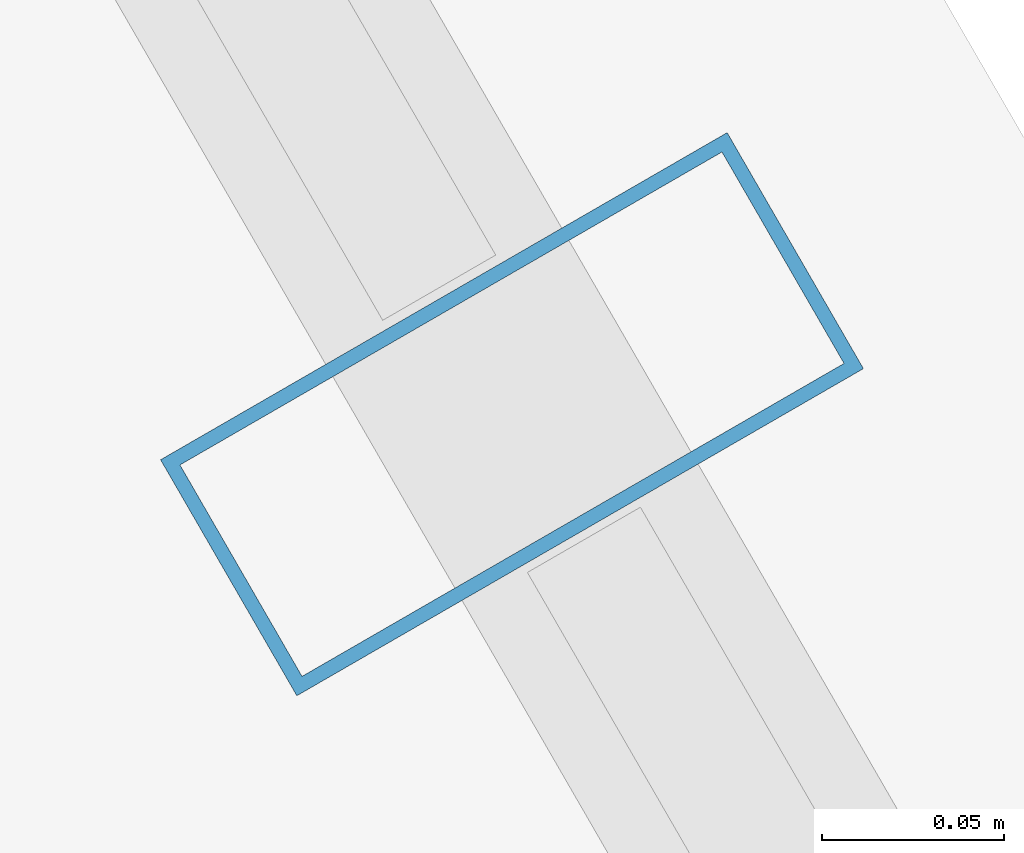
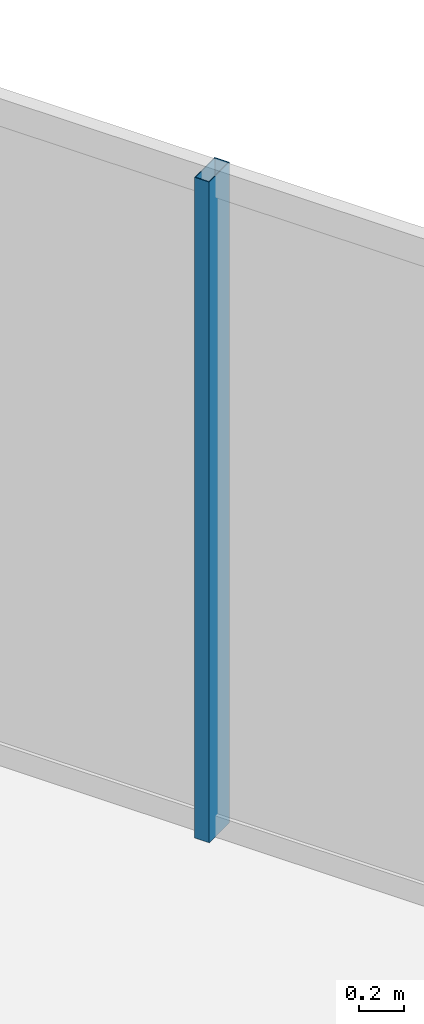
# One storey, part 20 of 33: 1 member, 1 element without a shape of its own.
"""IFC4 building model written with IfcOpenShell, lengths in metres."""

import ifcopenshell
import ifcopenshell.guid

model = None  # the IFC model being written
_history = None  # IfcOwnerHistory: only IFC2X3 demands one
_inside = {}  # id of a spatial element -> (the spatial element, [elements in it])
_under = {}  # id of a project, library or spatial element -> (it, [spatial elements below it])
_declared = {}  # id of a project -> (the project, [libraries it declares])
_typed = {}  # id of a type object -> (the type object, [elements of that type])
_made_of = {}  # id of a material, layer set ... -> (it, [elements and type objects made of it])


def new_model(schema):
    """Start an empty IFC model of exactly this schema.

    Asked for "IFC4X3", IfcOpenShell would pick the latest addendum, in which some entities
    have other attributes; the version numbers below select the first issue.
    IFC2X3 requires an IfcOwnerHistory on every rooted entity: one is made here for all.
    """
    global model, _history
    if schema == "IFC4X3":
        model = ifcopenshell.file(schema_version=(4, 3, 0, 0))
    else:
        model = ifcopenshell.file(schema=schema)
    _inside.clear()
    _under.clear()
    _declared.clear()
    _typed.clear()
    _made_of.clear()
    _history = None
    if model.schema == "IFC2X3":
        org = make("IfcOrganization", Name="unknown")
        user = make(
            "IfcPersonAndOrganization",
            ThePerson=make("IfcPerson", FamilyName="unknown"),
            TheOrganization=org,
        )
        app = make(
            "IfcApplication",
            ApplicationDeveloper=org,
            Version="unknown",
            ApplicationFullName="unknown",
            ApplicationIdentifier="unknown",
        )
        _history = make(
            "IfcOwnerHistory",
            OwningUser=user,
            OwningApplication=app,
            ChangeAction="ADDED",
            CreationDate=0,
        )
    return model


def make(cls, **values):
    """One entity of the class cls with the attributes given. An attribute that is None is left unset."""
    return model.create_entity(
        cls, **{name: value for name, value in values.items() if value is not None}
    )


def rooted(cls, **values):
    """An entity with a GlobalId (a new one), such as an element, a storey or a relation."""
    return make(cls, GlobalId=ifcopenshell.guid.new(), OwnerHistory=_history, **values)


def si_unit(unit_type, name, prefix=None):
    """IfcSIUnit, for example si_unit("LENGTHUNIT", "METRE", prefix="MILLI")."""
    return make("IfcSIUnit", UnitType=unit_type, Prefix=prefix, Name=name)


def assignment(units):
    """IfcUnitAssignment: the units of a project."""
    return None if units is None else make("IfcUnitAssignment", Units=units)


def point(xyz):
    """IfcCartesianPoint."""
    return None if xyz is None else make("IfcCartesianPoint", Coordinates=xyz)


def direction(xyz):
    """IfcDirection."""
    return None if xyz is None else make("IfcDirection", DirectionRatios=xyz)


def frame(location, z_axis=None, x_axis=None):
    """IfcAxis2Placement3D, a coordinate frame: its origin and axes. An axis left out is left unset."""
    return make(
        "IfcAxis2Placement3D",
        Location=point(location),
        Axis=direction(z_axis),
        RefDirection=direction(x_axis),
    )


def frame_2d(location, x_axis=None):
    """IfcAxis2Placement2D, a coordinate frame in the plane: its origin and x axis."""
    return make(
        "IfcAxis2Placement2D", Location=point(location), RefDirection=direction(x_axis)
    )


def origin():
    """The frame at (0, 0, 0) with its axes left unset."""
    return frame((0.0, 0.0, 0.0))


def origin_2d():
    """The frame at (0, 0) in the plane with its x axis left unset."""
    return frame_2d((0.0, 0.0))


def place(relative_to, where):
    """IfcLocalPlacement: puts the frame where relative to a parent placement (None: the world)."""
    return make(
        "IfcLocalPlacement", PlacementRelTo=relative_to, RelativePlacement=where
    )


def context(
    kind, dimensions, precision=None, world=None, true_north=None, identifier=None
):
    """IfcGeometricRepresentationContext, for example the 3D "Model" context."""
    return make(
        "IfcGeometricRepresentationContext",
        ContextIdentifier=identifier,
        ContextType=kind,
        CoordinateSpaceDimension=dimensions,
        Precision=precision,
        WorldCoordinateSystem=world,
        TrueNorth=true_north,
    )


def subcontext(parent, identifier, kind, view, scale=None):
    """IfcGeometricRepresentationSubContext, for example "Body" below "Model"."""
    return make(
        "IfcGeometricRepresentationSubContext",
        ContextIdentifier=identifier,
        ContextType=kind,
        ParentContext=parent,
        TargetScale=scale,
        TargetView=view,
    )


def project(units=None, contexts=None):
    """IfcProject with its units and contexts."""
    return rooted(
        "IfcProject",
        Name="project",
        RepresentationContexts=contexts,
        UnitsInContext=assignment(units),
    )


def spatial(cls, under=None, at=None, **own):
    """A site, building, storey or space (cls), placed at a placement, below another one or the project."""
    s = rooted(cls, ObjectPlacement=at, **own)
    if under is not None:
        _under.setdefault(under.id(), (under, []))[1].append(s)
    return s


def profile(cls, at=None, kind="AREA", **sizes):
    """A parametric profile (cls). Its sizes go by their IFC names, for example OverallWidth=200.0."""
    return make(cls, ProfileType=kind, Position=at, **sizes)


def hollow_rectangle(**sizes):
    """IfcRectangleHollowProfileDef."""
    return profile("IfcRectangleHollowProfileDef", **sizes)


def extrude(swept, where, along, depth):
    """IfcExtrudedAreaSolid: the profile swept, set in the frame where, extruded along a direction by depth."""
    return make(
        "IfcExtrudedAreaSolid",
        SweptArea=swept,
        Position=where,
        ExtrudedDirection=direction(along),
        Depth=depth,
    )


def shape(context_of_items, identifier, shape_type, items):
    """IfcShapeRepresentation: the items that make up one representation, for example the "Body"."""
    return make(
        "IfcShapeRepresentation",
        ContextOfItems=context_of_items,
        RepresentationIdentifier=identifier,
        RepresentationType=shape_type,
        Items=items,
    )


def material(Name=None, Category=None):
    """IfcMaterial."""
    return make("IfcMaterial", Name=Name, Category=Category)


def layer(
    of_material, thickness, ventilated=None, Name=None, Category=None, Priority=None
):
    """IfcMaterialLayer: one layer of a wall or slab, of a material (None: an air gap)."""
    return make(
        "IfcMaterialLayer",
        Material=of_material,
        LayerThickness=thickness,
        IsVentilated=ventilated,
        Name=Name,
        Category=Category,
        Priority=Priority,
    )


def layer_set(layers, Name=None):
    """IfcMaterialLayerSet."""
    return make("IfcMaterialLayerSet", MaterialLayers=layers, LayerSetName=Name)


def material_profile(
    of_material, cross_section, Name=None, Category=None, Priority=None
):
    """IfcMaterialProfile: a cross section and its material."""
    return make(
        "IfcMaterialProfile",
        Name=Name,
        Material=of_material,
        Profile=cross_section,
        Priority=Priority,
        Category=Category,
    )


def profile_set(profiles, Name=None, composite=None):
    """IfcMaterialProfileSet."""
    return make(
        "IfcMaterialProfileSet",
        Name=Name,
        MaterialProfiles=profiles,
        CompositeProfile=composite,
    )


def made_of(thing, what):
    """Note that an element or type object is made of a material, layer set ...; save() writes the relation."""
    if what is not None:
        _made_of.setdefault(what.id(), (what, []))[1].append(thing)
    return thing


def type_object(cls, material=None, **own):
    """A type object (cls), such as IfcWallType, which elements share."""
    return made_of(rooted(cls, **own), material)


def element(
    cls,
    number,
    at=None,
    inside=None,
    cuts=None,
    type_object=None,
    material=None,
    context=None,
    identifier="Body",
    shape_type=None,
    held_by="IfcProductDefinitionShape",
    body=None,
    shapes=None,
    **own,
):
    """One element of the class cls, such as IfcWall. Its Tag is "e" and its number.

    at: its placement. inside: the storey or other place that contains it. cuts: it is an
    opening in that element (IfcRelVoidsElement). A single representation is given by context,
    identifier, shape_type and body (its items); several are given by shapes. held_by: the class
    of the entity that holds the representations. save() writes the other relations.
    """
    e = rooted(cls, Tag="e%d" % number, ObjectPlacement=at, **own)
    if body is not None:
        shapes = [shape(context, identifier, shape_type, body)]
    if shapes is not None:
        e.Representation = make(held_by, Representations=shapes)
    if inside is not None:
        _inside.setdefault(inside.id(), (inside, []))[1].append(e)
    if cuts is not None:
        rooted(
            "IfcRelVoidsElement", RelatingBuildingElement=cuts, RelatedOpeningElement=e
        )
    if type_object is not None:
        _typed.setdefault(type_object.id(), (type_object, []))[1].append(e)
    return made_of(e, material)


def aggregate(whole, parts):
    """IfcRelAggregates: a whole, such as a stair, and the parts it consists of."""
    return rooted("IfcRelAggregates", RelatingObject=whole, RelatedObjects=parts)


def save(model, path):
    """Write the relations noted so far, then the file.

    IfcRelAggregates (storeys below a building ...), IfcRelContainedInSpatialStructure (elements
    in a storey), IfcRelDefinesByType, IfcRelAssociatesMaterial and IfcRelDeclares: one each for
    every whole, place, type object, material and project.
    """
    for whole, parts in _under.values():
        aggregate(whole, parts)
    for where, things in _inside.values():
        rooted(
            "IfcRelContainedInSpatialStructure",
            RelatedElements=things,
            RelatingStructure=where,
        )
    for kind, things in _typed.values():
        rooted("IfcRelDefinesByType", RelatedObjects=things, RelatingType=kind)
    for what, things in _made_of.values():
        rooted("IfcRelAssociatesMaterial", RelatedObjects=things, RelatingMaterial=what)
    for by, libraries in _declared.values():
        rooted("IfcRelDeclares", RelatingContext=by, RelatedDefinitions=libraries)
    model.write(path)


model = new_model("IFC4")

# Units and contexts
model_context = context("Model", 3, precision=1e-05, world=origin(), true_north=direction((0.0, 1.0)))
body_context = subcontext(model_context, "Body", "Model", "MODEL_VIEW")
ifc_project = project(units=[si_unit("LENGTHUNIT", "METRE"), si_unit("AREAUNIT", "SQUARE_METRE"), si_unit("VOLUMEUNIT", "CUBIC_METRE"), si_unit("PLANEANGLEUNIT", "RADIAN"), si_unit("MASSUNIT", "GRAM", prefix="KILO")], contexts=[model_context])

# Site, building, storey
site_placement = place(None, origin())
site = spatial("IfcSite", under=ifc_project, at=site_placement, CompositionType="ELEMENT")
building_placement = place(site_placement, origin())
building = spatial("IfcBuilding", under=site, at=building_placement, Name="Ndaravel Arena Tower", CompositionType="ELEMENT")
storey_placement = place(building_placement, frame((0.0, 0.0, 165.0)))
storey = spatial("IfcBuildingStorey", under=building, at=storey_placement, Name="L39", CompositionType="ELEMENT", Elevation=165.0)

# Curtain wall, member
ifc_material_1 = material(Name="Aluminium", Category="aluminium")
ifc_layer = layer(ifc_material_1, 0.179931640625)
ifc_layer_set = layer_set([ifc_layer], Name="Aluminium")
curtain_wall_type = type_object("IfcCurtainWallType", Name="CW-SYS-03", PredefinedType="NOTDEFINED", material=ifc_layer_set)
curtain_wall_placement = place(storey_placement, origin())
curtain_wall = element("IfcCurtainWall", 1, at=curtain_wall_placement, inside=storey, type_object=curtain_wall_type, Name="L39 Faceted Crystal Curtain Wall CW-L39-E03", PredefinedType="NOTDEFINED")
ifc_material_2 = material(Name="Aluminium", Category="aluminium")
ifc_material_profile = material_profile(ifc_material_2, hollow_rectangle(XDim=0.074951171875, YDim=0.179931640625, WallThickness=0.00390625, at=origin_2d()), Name="CW MULLION 75x180x4")
ifc_profile_set = profile_set([ifc_material_profile], Name="Aluminium")
member_type = type_object("IfcMemberType", Name="MEM-CW-MUL180", PredefinedType="MULLION", material=ifc_profile_set)
member_placement = place(storey_placement, frame((54.201416015625, 34.256591796875, 0.0), z_axis=(0.0, 0.0, 1.0), x_axis=(-0.5, 0.866025403784, 0.0)))
member = element("IfcMember", 2, at=member_placement, type_object=member_type, Name="CW-L39-E03 Mullion 05", PredefinedType="MULLION", context=body_context, shape_type="SweptSolid", body=[
    extrude(hollow_rectangle(XDim=0.074951171875, YDim=0.179931640625, WallThickness=0.00390625, at=origin_2d()), origin(), (0.0, 0.0, 1.0), 3.580078125),
])
aggregate(curtain_wall, [member])

save(model, "model.ifc")
